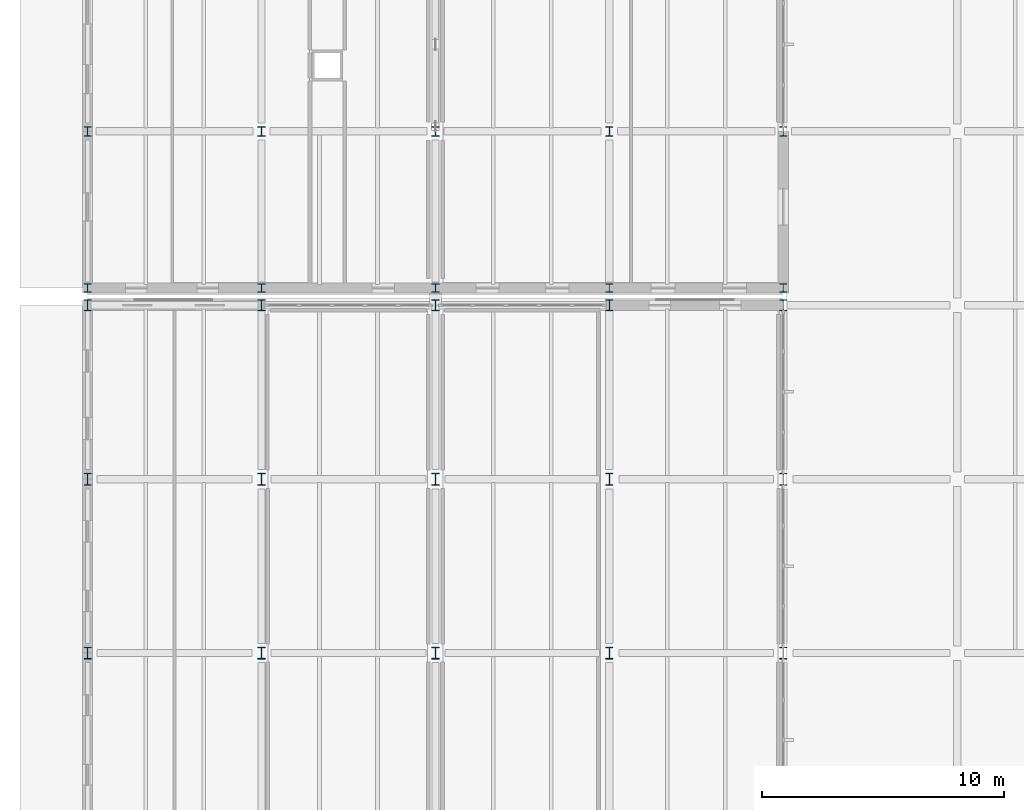
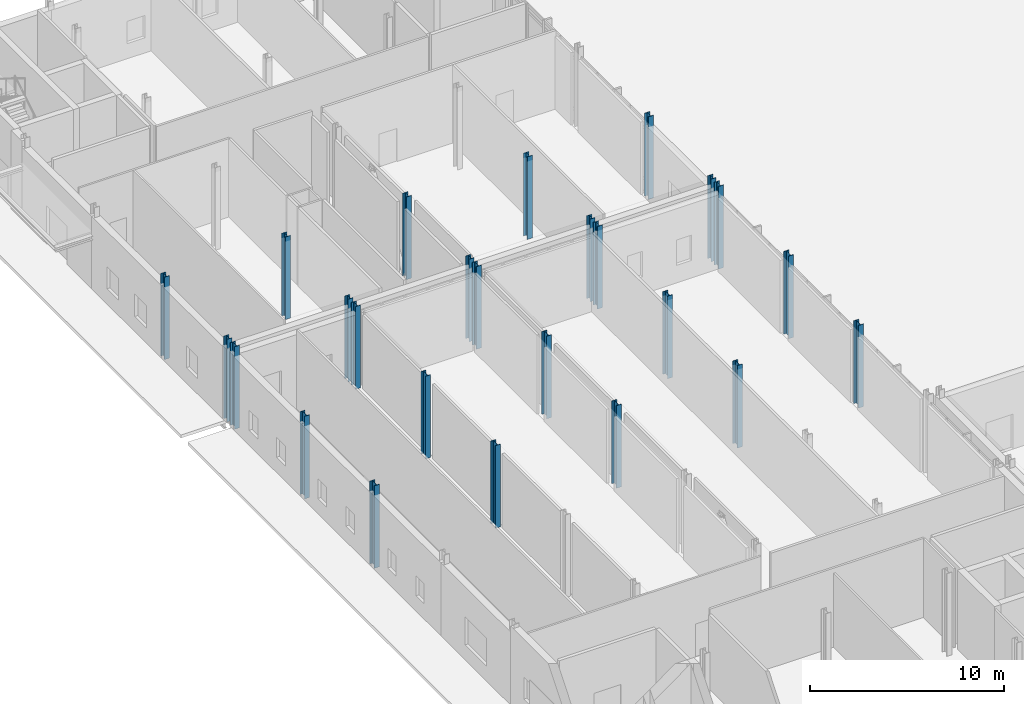
# One storey, part 3 of 89: 25 columns.
"""IFC4 building model written with IfcOpenShell, lengths in metres."""

from ifc_helpers import new_model, si_unit, direction, frame, origin, origin_2d, place, context, subcontext, project, spatial, i_section, extrude, material, material_profile, profile_set, type_object, element, save


model = new_model("IFC4")

# Units and contexts
model_context = context("Model", 3, precision=1e-05, world=origin(), true_north=direction((0.0, 1.0)))
body_context = subcontext(model_context, "Body", "Model", "MODEL_VIEW")
ifc_project = project(units=[si_unit("LENGTHUNIT", "METRE"), si_unit("AREAUNIT", "SQUARE_METRE"), si_unit("VOLUMEUNIT", "CUBIC_METRE"), si_unit("PLANEANGLEUNIT", "RADIAN"), si_unit("MASSUNIT", "GRAM", prefix="KILO")], contexts=[model_context])

# Site, building, storey
site_placement = place(None, origin())
site = spatial("IfcSite", under=ifc_project, at=site_placement, CompositionType="ELEMENT")
building_placement = place(site_placement, origin())
building = spatial("IfcBuilding", under=site, at=building_placement, Name="Zarrinpeak Specialist Clinic", CompositionType="ELEMENT")
storey_placement = place(building_placement, origin())
storey = spatial("IfcBuildingStorey", under=building, at=storey_placement, Name="L00", CompositionType="ELEMENT", Elevation=0.0)

# Columns
ifc_material = material(Name="Steel S355", Category="steel")
ifc_material_profile_1 = material_profile(ifc_material, i_section(OverallWidth=0.300048828125, OverallDepth=0.360107421875, WebThickness=0.012451171875, FlangeThickness=0.0224609375, FilletRadius=0.027099609375, at=origin_2d()), Name="HEB 360")
ifc_profile_set_1 = profile_set([ifc_material_profile_1], Name="Steel S355")
column_type_1 = type_object("IfcColumnType", Name="COL-HEB360", PredefinedType="COLUMN", material=ifc_profile_set_1)
for number, where, z_axis, x_axis, name in (
    (1, (0.0, 51.1201171875, 0.0), (0.0, 0.0, 1.0), (1.0, 0.0, 0.0), "L00 Structural Column COL-L00-007"),
    (2, (7.199951171875, 51.1201171875, 0.0), (0.0, 0.0, 1.0), (1.0, 0.0, 0.0), "L00 Structural Column COL-L00-020"),
    (3, (14.39990234375, 51.1201171875, 0.0), (0.0, 0.0, 1.0), (1.0, 0.0, 0.0), "L00 Structural Column COL-L00-034"),
    (4, (21.60009765625, 51.1201171875, 0.0), (0.0, 0.0, 1.0), (1.0, 0.0, 0.0), "L00 Structural Column COL-L00-048"),
    (5, (28.800048828125, 51.1201171875, 0.0), (0.0, 0.0, 1.0), (1.0, 0.0, 0.0), "L00 Structural Column COL-L00-060"),
):
    element("IfcColumn", number, at=place(storey_placement, frame(where, z_axis=z_axis, x_axis=x_axis)), inside=storey, type_object=column_type_1, Name=name, PredefinedType="COLUMN", context=body_context, shape_type="SweptSolid", body=[
        extrude(i_section(OverallWidth=0.300048828125, OverallDepth=0.360107421875, WebThickness=0.012451171875, FlangeThickness=0.0224609375, FilletRadius=0.027099609375, at=origin_2d()), origin(), (0.0, 0.0, 1.0), 5.199951171875),
    ])
ifc_material_profile_2 = material_profile(ifc_material, i_section(OverallWidth=0.300048828125, OverallDepth=0.39990234375, WebThickness=0.013427734375, FlangeThickness=0.02392578125, FilletRadius=0.027099609375, at=origin_2d()), Name="HEB 400")
ifc_profile_set_2 = profile_set([ifc_material_profile_2], Name="Steel S355")
column_type_2 = type_object("IfcColumnType", Name="COL-HEB400", PredefinedType="COLUMN", material=ifc_profile_set_2)
for number, where, z_axis, x_axis, name in (
    (6, (0.0, 57.60009765625, 0.0), (0.0, 0.0, 1.0), (1.0, 0.0, 0.0), "L00 Structural Column COL-L00-008"),
    (7, (7.199951171875, 57.60009765625, 0.0), (0.0, 0.0, 1.0), (1.0, 0.0, 0.0), "L00 Structural Column COL-L00-021"),
    (8, (14.39990234375, 57.60009765625, 0.0), (0.0, 0.0, 1.0), (1.0, 0.0, 0.0), "L00 Structural Column COL-L00-035"),
    (9, (21.60009765625, 57.60009765625, 0.0), (0.0, 0.0, 1.0), (1.0, 0.0, 0.0), "L00 Structural Column COL-L00-049"),
    (10, (28.800048828125, 57.60009765625, 0.0), (0.0, 0.0, 1.0), (1.0, 0.0, 0.0), "L00 Structural Column COL-L00-061"),
):
    element("IfcColumn", number, at=place(storey_placement, frame(where, z_axis=z_axis, x_axis=x_axis)), inside=storey, type_object=column_type_2, Name=name, PredefinedType="COLUMN", context=body_context, shape_type="SweptSolid", body=[
        extrude(i_section(OverallWidth=0.300048828125, OverallDepth=0.39990234375, WebThickness=0.013427734375, FlangeThickness=0.02392578125, FilletRadius=0.027099609375, at=origin_2d()), origin(), (0.0, 0.0, 1.0), 5.199951171875),
    ])
ifc_material_profile_3 = material_profile(ifc_material, i_section(OverallWidth=0.300048828125, OverallDepth=0.449951171875, WebThickness=0.013916015625, FlangeThickness=0.02587890625, FilletRadius=0.027099609375, at=origin_2d()), Name="HEB 450")
ifc_profile_set_3 = profile_set([ifc_material_profile_3], Name="Steel S355")
column_type_3 = type_object("IfcColumnType", Name="COL-HEB450", PredefinedType="COLUMN", material=ifc_profile_set_3)
for number, where, z_axis, x_axis, name in (
    (11, (0.0, 50.39990234375, 0.0), (0.0, 0.0, 1.0), (1.0, 0.0, 0.0), "L00 Structural Column COL-L00-006"),
    (12, (7.199951171875, 50.39990234375, 0.0), (0.0, 0.0, 1.0), (1.0, 0.0, 0.0), "L00 Structural Column COL-L00-019"),
    (13, (14.39990234375, 50.39990234375, 0.0), (0.0, 0.0, 1.0), (1.0, 0.0, 0.0), "L00 Structural Column COL-L00-033"),
    (14, (21.60009765625, 50.39990234375, 0.0), (0.0, 0.0, 1.0), (1.0, 0.0, 0.0), "L00 Structural Column COL-L00-047"),
    (15, (28.800048828125, 50.39990234375, 0.0), (0.0, 0.0, 1.0), (1.0, 0.0, 0.0), "L00 Structural Column COL-L00-059"),
):
    element("IfcColumn", number, at=place(storey_placement, frame(where, z_axis=z_axis, x_axis=x_axis)), inside=storey, type_object=column_type_3, Name=name, PredefinedType="COLUMN", context=body_context, shape_type="SweptSolid", body=[
        extrude(i_section(OverallWidth=0.300048828125, OverallDepth=0.449951171875, WebThickness=0.013916015625, FlangeThickness=0.02587890625, FilletRadius=0.027099609375, at=origin_2d()), origin(), (0.0, 0.0, 1.0), 5.199951171875),
    ])
ifc_material_profile_4 = material_profile(ifc_material, i_section(OverallWidth=0.300048828125, OverallDepth=0.5, WebThickness=0.014404296875, FlangeThickness=0.028076171875, FilletRadius=0.027099609375, at=origin_2d()), Name="HEB 500")
ifc_profile_set_4 = profile_set([ifc_material_profile_4], Name="Steel S355")
column_type_4 = type_object("IfcColumnType", Name="COL-HEB500", PredefinedType="COLUMN", material=ifc_profile_set_4)
for number, where, z_axis, x_axis, name in (
    (16, (0.0, 36.0, 0.0), (0.0, 0.0, 1.0), (1.0, 0.0, 0.0), "L00 Structural Column COL-L00-004"),
    (17, (0.0, 43.199951171875, 0.0), (0.0, 0.0, 1.0), (1.0, 0.0, 0.0), "L00 Structural Column COL-L00-005"),
    (18, (7.199951171875, 36.0, 0.0), (0.0, 0.0, 1.0), (1.0, 0.0, 0.0), "L00 Structural Column COL-L00-017"),
    (19, (7.199951171875, 43.199951171875, 0.0), (0.0, 0.0, 1.0), (1.0, 0.0, 0.0), "L00 Structural Column COL-L00-018"),
    (20, (14.39990234375, 36.0, 0.0), (0.0, 0.0, 1.0), (1.0, 0.0, 0.0), "L00 Structural Column COL-L00-031"),
    (21, (14.39990234375, 43.199951171875, 0.0), (0.0, 0.0, 1.0), (1.0, 0.0, 0.0), "L00 Structural Column COL-L00-032"),
    (22, (21.60009765625, 36.0, 0.0), (0.0, 0.0, 1.0), (1.0, 0.0, 0.0), "L00 Structural Column COL-L00-045"),
    (23, (21.60009765625, 43.199951171875, 0.0), (0.0, 0.0, 1.0), (1.0, 0.0, 0.0), "L00 Structural Column COL-L00-046"),
    (24, (28.800048828125, 36.0, 0.0), (0.0, 0.0, 1.0), (1.0, 0.0, 0.0), "L00 Structural Column COL-L00-057"),
    (25, (28.800048828125, 43.199951171875, 0.0), (0.0, 0.0, 1.0), (1.0, 0.0, 0.0), "L00 Structural Column COL-L00-058"),
):
    element("IfcColumn", number, at=place(storey_placement, frame(where, z_axis=z_axis, x_axis=x_axis)), inside=storey, type_object=column_type_4, Name=name, PredefinedType="COLUMN", context=body_context, shape_type="SweptSolid", body=[
        extrude(i_section(OverallWidth=0.300048828125, OverallDepth=0.5, WebThickness=0.014404296875, FlangeThickness=0.028076171875, FilletRadius=0.027099609375, at=origin_2d()), origin(), (0.0, 0.0, 1.0), 5.199951171875),
    ])

save(model, "model.ifc")
